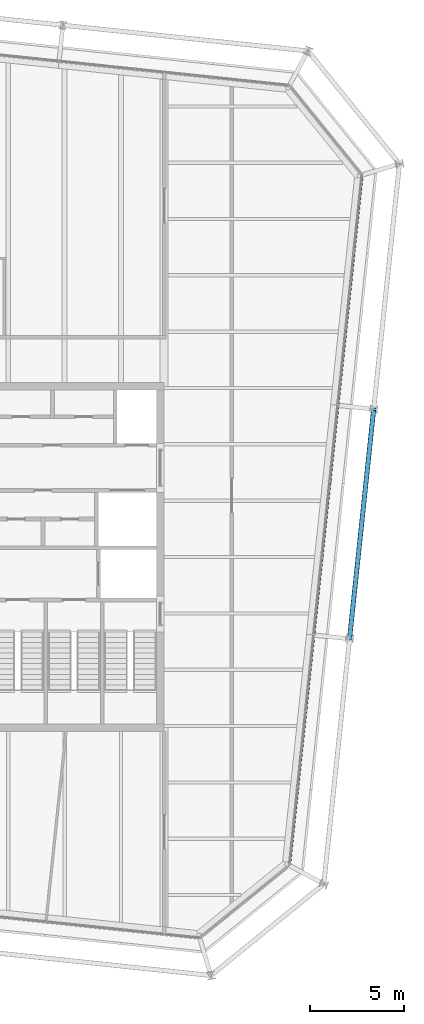
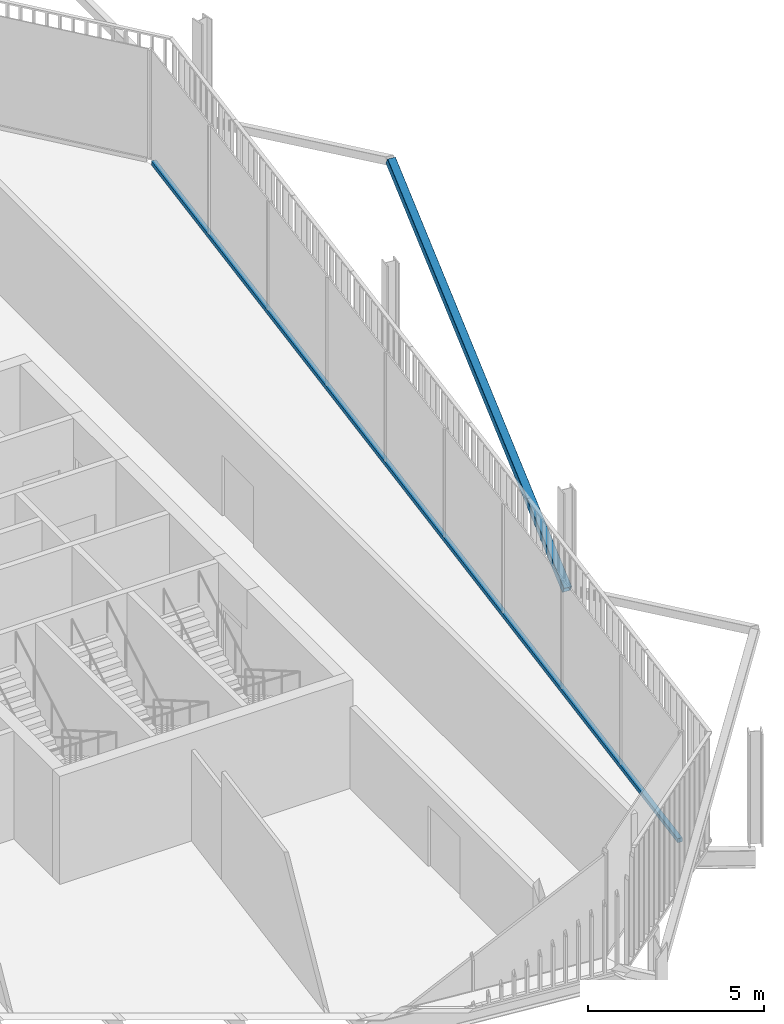
# One storey, part 10 of 21: 2 members, 1 element without a shape of its own.
"""IFC4 building model written with IfcOpenShell, lengths in metres."""

from ifc_helpers import new_model, si_unit, direction, frame, origin, origin_2d, place, context, subcontext, project, spatial, rectangle, hollow_rectangle, extrude, material, layer, layer_set, material_profile, profile_set, type_object, element, aggregate, save


model = new_model("IFC4")

# Units and contexts
model_context = context("Model", 3, precision=1e-05, world=origin(), true_north=direction((0.0, 1.0)))
body_context = subcontext(model_context, "Body", "Model", "MODEL_VIEW")
ifc_project = project(units=[si_unit("LENGTHUNIT", "METRE"), si_unit("AREAUNIT", "SQUARE_METRE"), si_unit("VOLUMEUNIT", "CUBIC_METRE"), si_unit("PLANEANGLEUNIT", "RADIAN"), si_unit("MASSUNIT", "GRAM", prefix="KILO")], contexts=[model_context])

# Site, building, storey
site_placement = place(None, origin())
site = spatial("IfcSite", under=ifc_project, at=site_placement, CompositionType="ELEMENT")
building_placement = place(site_placement, origin())
building = spatial("IfcBuilding", under=site, at=building_placement, Name="Millrace Tower", CompositionType="ELEMENT")
storey_placement = place(building_placement, frame((0.0, 0.0, 326.5)))
storey = spatial("IfcBuildingStorey", under=building, at=storey_placement, Name="L75", CompositionType="ELEMENT", Elevation=326.5)

# Curtain wall, member
ifc_material_1 = material(Name="Aluminium and glass", Category="aluminium")
ifc_layer = layer(ifc_material_1, 0.14990234375)
ifc_layer_set = layer_set([ifc_layer], Name="Aluminium and glass")
curtain_wall_type = type_object("IfcCurtainWallType", Name="CW-1 office vision curtain wall", PredefinedType="NOTDEFINED", material=ifc_layer_set)
curtain_wall_placement = place(storey_placement, origin())
curtain_wall = element("IfcCurtainWall", 1, at=curtain_wall_placement, inside=storey, type_object=curtain_wall_type, Name="Curtain wall E-F04 L75", PredefinedType="NOTDEFINED")
ifc_material_2 = material(Name="Aluminium", Category="aluminium")
ifc_material_profile_1 = material_profile(ifc_material_2, rectangle(XDim=0.14990234375, YDim=0.139892578125, at=origin_2d()))
ifc_profile_set_1 = profile_set([ifc_material_profile_1], Name="Aluminium")
member_type_1 = type_object("IfcMemberType", Name="CW-1 office vision curtain wall transom", PredefinedType="USERDEFINED", material=ifc_profile_set_1)
member_1_placement = place(storey_placement, frame((20.98193359375, -16.285400390625, 0.070068359375), z_axis=(0.104527916025, 0.994521952886, 0.0), x_axis=(-0.994521952886, 0.104527916025, 0.0)))
member_1 = element("IfcMember", 2, at=member_1_placement, type_object=member_type_1, Name="CW1 transom E-F04.1", ObjectType="TRANSOM", PredefinedType="USERDEFINED", context=body_context, shape_type="SweptSolid", body=[
    extrude(rectangle(XDim=0.14990234375, YDim=0.139892578125, at=origin_2d()), origin(), (0.0, 0.0, 1.0), 36.699951171875),
])
aggregate(curtain_wall, [member_1])

# Member
ifc_material_3 = material(Name="Steel ASTM A500 Grade C", Category="steel")
ifc_material_profile_2 = material_profile(ifc_material_3, hollow_rectangle(XDim=0.25390625, YDim=0.25390625, WallThickness=0.009521484375, InnerFilletRadius=0.004638671875, OuterFilletRadius=0.014404296875, at=origin_2d()))
ifc_profile_set_2 = profile_set([ifc_material_profile_2], Name="Steel ASTM A500 Grade C")
member_type_2 = type_object("IfcMemberType", Name="Exoskeleton brace HSS10x10x3/8", PredefinedType="BRACE", material=ifc_profile_set_2)
member_2_placement = place(storey_placement, frame((24.171630859375, -4.353271484375, 0.39990234375), z_axis=(0.090844087175, 0.864347159857, 0.494622420713), x_axis=(-0.994522189618, 0.10452566363, 0.0)))
element("IfcMember", 3, at=member_2_placement, inside=storey, type_object=member_type_2, Name="BRC-E-L75-07", PredefinedType="BRACE", context=body_context, shape_type="SweptSolid", body=[
    extrude(hollow_rectangle(XDim=0.25390625, YDim=0.25390625, WallThickness=0.009521484375, InnerFilletRadius=0.004638671875, OuterFilletRadius=0.014404296875, at=origin_2d()), origin(), (0.0, 0.0, 1.0), 14.152099609375),
])

save(model, "model.ifc")
